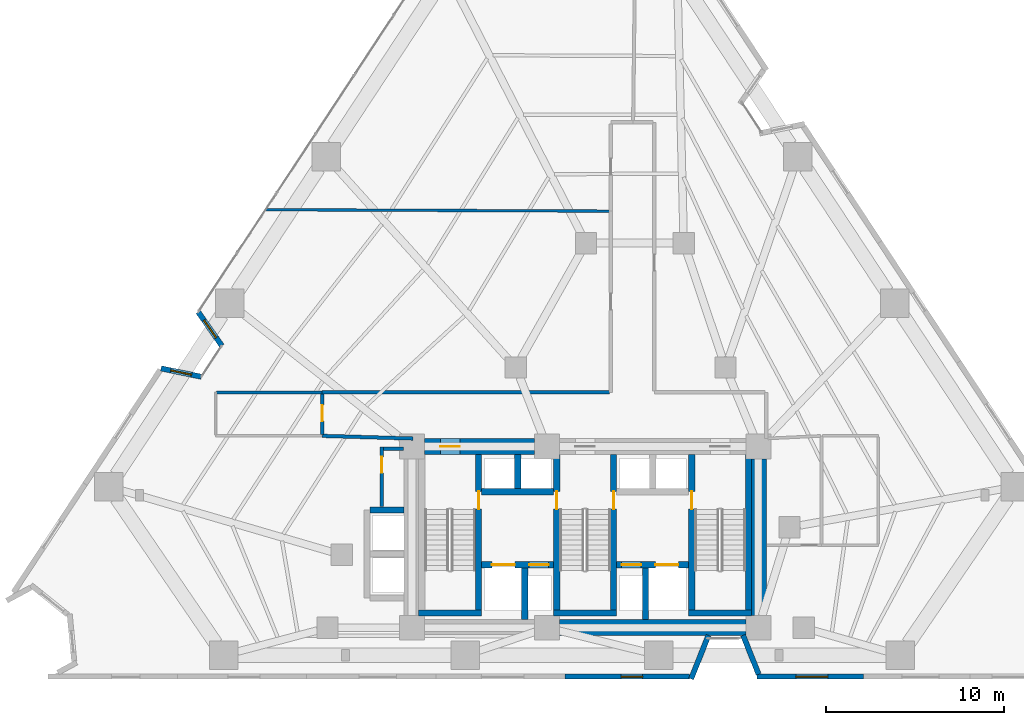
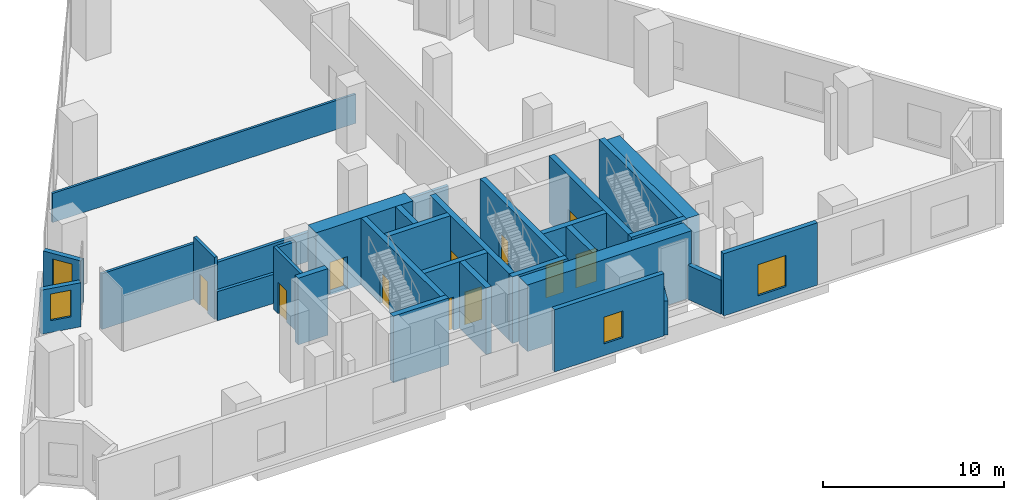
# One storey, part 7 of 11: 31 walls, 11 doors, 4 windows, 15 openings.
"""IFC4 building model written with IfcOpenShell, lengths in metres."""

from ifc_helpers import new_model, si_unit, direction, frame, frame_2d, origin, place, context, subcontext, project, spatial, rectangle, extrude, material, layer, layer_set, type_object, element, fill, save


model = new_model("IFC4")

# Units and contexts
model_context = context("Model", 3, precision=1e-05, world=origin(), true_north=direction((0.0, 1.0)))
body_context = subcontext(model_context, "Body", "Model", "MODEL_VIEW")
ifc_project = project(units=[si_unit("LENGTHUNIT", "METRE"), si_unit("AREAUNIT", "SQUARE_METRE"), si_unit("VOLUMEUNIT", "CUBIC_METRE"), si_unit("PLANEANGLEUNIT", "RADIAN"), si_unit("MASSUNIT", "GRAM", prefix="KILO")], contexts=[model_context])

# Site, building, storey
site_placement = place(None, origin())
site = spatial("IfcSite", under=ifc_project, at=site_placement, CompositionType="ELEMENT")
building_placement = place(site_placement, origin())
building = spatial("IfcBuilding", under=site, at=building_placement, Name="Almagre Mirador Tower", CompositionType="ELEMENT")
storey_placement = place(building_placement, frame((0.0, 0.0, 21.89990234375)))
storey = spatial("IfcBuildingStorey", under=building, at=storey_placement, Name="L04", CompositionType="ELEMENT", Elevation=21.89990234375)

# Wall, opening, window
ifc_material_1 = material(Name="Precast concrete C50/60", Category="concrete")
ifc_layer_1 = layer(ifc_material_1, 0.300048828125)
ifc_layer_set_1 = layer_set([ifc_layer_1], Name="Precast concrete C50/60")
wall_type_1 = type_object("IfcWallType", Name="WAL-EXT-300", PredefinedType="SOLIDWALL", material=ifc_layer_set_1)
wall_1_placement = place(storey_placement, frame((13.429931640625, 19.14697265625, 0.0), z_axis=(0.0, 0.0, 1.0), x_axis=(0.979248147508, -0.202664909649, 0.0)))
wall_1 = element("IfcWall", 1, at=wall_1_placement, inside=storey, type_object=wall_type_1, Name="L04 expressed almagre precast frame wall 01", PredefinedType="SOLIDWALL", context=body_context, shape_type="SweptSolid", body=[
    extrude(rectangle(XDim=2.314208984375, YDim=0.300048828125, at=frame_2d((1.1572265625, 0.0))), origin(), (0.0, 0.0, 1.0), 2.97509765625),
])
opening_1_placement = place(wall_1_placement, frame((0.550048828125, 0.0, 0.800048828125)))
opening_1 = element("IfcOpeningElement", 2, at=opening_1_placement, cuts=wall_1, Name="Opening WN-04", PredefinedType="OPENING", context=body_context, shape_type="SweptSolid", body=[
    extrude(rectangle(XDim=1.199951171875, YDim=1.800048828125, at=frame_2d((0.60009765625, 0.89990234375))), frame((0.0, 0.159902, 0.0), z_axis=(0.0, -1.0, 0.0), x_axis=(1.0, 0.0, 0.0)), (0.0, 0.0, 1.0), 0.320049),
])
ifc_material_2 = material(Name="Dark solar-control laminated hurricane glass", Category="glass")
window_type_1 = type_object("IfcWindowType", Name="WIN-1200X1800", PartitioningType="SINGLE_PANEL", PredefinedType="WINDOW", material=ifc_material_2)
window_1_placement = place(opening_1_placement, origin())
window_1 = element("IfcWindow", 3, at=window_1_placement, inside=storey, type_object=window_type_1, Name="L04 recessed hurricane window L04-STE-3", OverallHeight=1.800048828125, OverallWidth=1.199951171875, PartitioningType="SINGLE_PANEL", PredefinedType="WINDOW", context=body_context, shape_type="SweptSolid", body=[
    extrude(rectangle(XDim=1.199951171875, YDim=1.800048828125, at=frame_2d((0.60009765625, 0.89990234375))), frame((0.0, 0.030029296875, 0.0), z_axis=(0.0, -1.0, 0.0), x_axis=(1.0, 0.0, 0.0)), (0.0, 0.0, 1.0), 0.06005859375),
])
fill(opening_1, window_1)

wall_2_placement = place(storey_placement, frame((16.845947265625, 20.423095703125, 0.0), z_axis=(0.0, 0.0, 1.0), x_axis=(-0.57261227679, 0.819826311159, 0.0)))
wall_2 = element("IfcWall", 4, at=wall_2_placement, inside=storey, type_object=wall_type_1, Name="L04 expressed almagre precast frame wall 02", PredefinedType="SOLIDWALL", context=body_context, shape_type="SweptSolid", body=[
    extrude(rectangle(XDim=2.31396484375, YDim=0.300048828125, at=frame_2d((1.156982421875, 0.0))), origin(), (0.0, 0.0, 1.0), 2.97509765625),
])
opening_2_placement = place(wall_2_placement, frame((0.550048828125, 0.0, 0.800048828125)))
opening_2 = element("IfcOpeningElement", 5, at=opening_2_placement, cuts=wall_2, Name="Opening WN-04", PredefinedType="OPENING", context=body_context, shape_type="SweptSolid", body=[
    extrude(rectangle(XDim=1.199951171875, YDim=1.800048828125, at=frame_2d((0.60009765625, 0.89990234375))), frame((0.0, 0.159902, 0.0), z_axis=(0.0, -1.0, 0.0), x_axis=(1.0, 0.0, 0.0)), (0.0, 0.0, 1.0), 0.320049),
])
window_2_placement = place(opening_2_placement, origin())
window_2 = element("IfcWindow", 6, at=window_2_placement, inside=storey, type_object=window_type_1, Name="L04 recessed hurricane window L04-STE-3", OverallHeight=1.800048828125, OverallWidth=1.199951171875, PartitioningType="SINGLE_PANEL", PredefinedType="WINDOW", context=body_context, shape_type="SweptSolid", body=[
    extrude(rectangle(XDim=1.199951171875, YDim=1.800048828125, at=frame_2d((0.60009765625, 0.89990234375))), frame((0.0, 0.030029296875, 0.0), z_axis=(0.0, -1.0, 0.0), x_axis=(1.0, 0.0, 0.0)), (0.0, 0.0, 1.0), 0.06005859375),
])
fill(opening_2, window_2)

wall_3_placement = place(storey_placement, frame((52.964111328125, 1.800048828125, 0.0), z_axis=(0.0, 0.0, 1.0), x_axis=(-1.0, 0.0, 0.0)))
wall_3 = element("IfcWall", 7, at=wall_3_placement, inside=storey, type_object=wall_type_1, Name="L04 expressed almagre precast frame wall 22", PredefinedType="SOLIDWALL", context=body_context, shape_type="SweptSolid", body=[
    extrude(rectangle(XDim=5.988037109375, YDim=0.300048828125, at=frame_2d((2.994140625, 0.0))), origin(), (0.0, 0.0, 1.0), 4.2001953125),
])
opening_3_placement = place(wall_3_placement, frame((2.0, 0.0, 0.60009765625)))
opening_3 = element("IfcOpeningElement", 8, at=opening_3_placement, cuts=wall_3, Name="Opening WN-01", PredefinedType="OPENING", context=body_context, shape_type="SweptSolid", body=[
    extrude(rectangle(XDim=1.800048828125, YDim=2.10009765625, at=frame_2d((0.89990234375, 1.050048828125))), frame((0.0, 0.159902, 0.0), z_axis=(0.0, -1.0, 0.0), x_axis=(1.0, 0.0, 0.0)), (0.0, 0.0, 1.0), 0.320049),
])
ifc_material_3 = material(Name="Dark solar-control laminated hurricane glass", Category="glass")
window_type_2 = type_object("IfcWindowType", Name="WIN-1800X2100", PartitioningType="DOUBLE_PANEL_VERTICAL", PredefinedType="WINDOW", material=ifc_material_3)
window_3_placement = place(opening_3_placement, origin())
window_3 = element("IfcWindow", 9, at=window_3_placement, inside=storey, type_object=window_type_2, Name="L04 recessed hurricane window L04-GAL-1", OverallHeight=2.10009765625, OverallWidth=1.800048828125, PartitioningType="SINGLE_PANEL", PredefinedType="WINDOW", context=body_context, shape_type="SweptSolid", body=[
    extrude(rectangle(XDim=1.800048828125, YDim=2.10009765625, at=frame_2d((0.89990234375, 1.050048828125))), frame((0.0, 0.030029296875, 0.0), z_axis=(0.0, -1.0, 0.0), x_axis=(1.0, 0.0, 0.0)), (0.0, 0.0, 1.0), 0.06005859375),
])
fill(opening_3, window_3)

# Walls
wall_4_placement = place(storey_placement, frame((47.066162109375, 1.92529296875, 0.0), z_axis=(0.0, 0.0, 1.0), x_axis=(-0.36946923074, 0.92924296475, 0.0)))
element("IfcWall", 10, at=wall_4_placement, inside=storey, type_object=wall_type_1, Name="L04 expressed almagre precast frame wall 23", PredefinedType="SOLIDWALL", context=body_context, shape_type="SweptSolid", body=[
    extrude(rectangle(XDim=2.366943359375, YDim=0.300048828125, at=frame_2d((1.18359375, 0.0))), origin(), (0.0, 0.0, 1.0), 2.300048828125),
])
wall_5_placement = place(storey_placement, frame((44.240478515625, 4.124755859375, 0.0), z_axis=(0.0, 0.0, 1.0), x_axis=(-0.369477840539, -0.929239541426, 0.0)))
element("IfcWall", 11, at=wall_5_placement, inside=storey, type_object=wall_type_1, Name="L04 expressed almagre precast frame wall 24", PredefinedType="SOLIDWALL", context=body_context, shape_type="SweptSolid", body=[
    extrude(rectangle(XDim=2.641845703125, YDim=0.300048828125, at=frame_2d((1.32080078125, 0.0))), origin(), (0.0, 0.0, 1.0), 2.300048828125),
])

# Wall, opening, window
wall_6_placement = place(storey_placement, frame((43.180908203125, 1.800048828125, 0.0), z_axis=(0.0, 0.0, 1.0), x_axis=(-1.0, 0.0, 0.0)))
wall_6 = element("IfcWall", 12, at=wall_6_placement, inside=storey, type_object=wall_type_1, Name="L04 expressed almagre precast frame wall 25", PredefinedType="SOLIDWALL", context=body_context, shape_type="SweptSolid", body=[
    extrude(rectangle(XDim=7.004150390625, YDim=0.300048828125, at=frame_2d((3.501953125, 0.0))), origin(), (0.0, 0.0, 1.0), 4.2001953125),
])
opening_4_placement = place(wall_6_placement, frame((2.64990234375, 0.0, 0.800048828125)))
opening_4 = element("IfcOpeningElement", 13, at=opening_4_placement, cuts=wall_6, Name="Opening WN-04", PredefinedType="OPENING", context=body_context, shape_type="SweptSolid", body=[
    extrude(rectangle(XDim=1.199951171875, YDim=1.800048828125, at=frame_2d((0.60009765625, 0.89990234375))), frame((0.0, 0.159902, 0.0), z_axis=(0.0, -1.0, 0.0), x_axis=(1.0, 0.0, 0.0)), (0.0, 0.0, 1.0), 0.320049),
])
window_4_placement = place(opening_4_placement, origin())
window_4 = element("IfcWindow", 14, at=window_4_placement, inside=storey, type_object=window_type_1, Name="L04 recessed hurricane window L04-LIB-2", OverallHeight=1.800048828125, OverallWidth=1.199951171875, PartitioningType="SINGLE_PANEL", PredefinedType="WINDOW", context=body_context, shape_type="SweptSolid", body=[
    extrude(rectangle(XDim=1.199951171875, YDim=1.800048828125, at=frame_2d((0.60009765625, 0.89990234375))), frame((0.0, 0.030029296875, 0.0), z_axis=(0.0, -1.0, 0.0), x_axis=(1.0, 0.0, 0.0)), (0.0, 0.0, 1.0), 0.06005859375),
])
fill(opening_4, window_4)

# Walls
ifc_material_4 = material(Name="Gypsum acoustic stud partition", Category="other")
ifc_layer_2 = layer(ifc_material_4, 0.14990234375)
ifc_layer_set_2 = layer_set([ifc_layer_2], Name="Gypsum acoustic stud partition")
wall_type_2 = type_object("IfcWallType", Name="WAL-PRT-150-STD", PredefinedType="PARTITIONING", material=ifc_layer_set_2)
wall_7_placement = place(storey_placement, frame((38.6650390625, 28.00048828125, 0.0), z_axis=(0.0, 0.0, 1.0), x_axis=(-0.999991330507, 0.004164001755, 0.0)))
element("IfcWall", 15, at=wall_7_placement, inside=storey, type_object=wall_type_2, Name="L04 interior partition 022", PredefinedType="PARTITIONING", context=body_context, shape_type="SweptSolid", body=[
    extrude(rectangle(XDim=19.348388671875, YDim=0.14990234375, at=frame_2d((9.67431640625, 0.0))), origin(), (0.0, 0.0, 1.0), 1.97021484375),
])
ifc_material_5 = material(Name="Gypsum acoustic stud partition", Category="other")
ifc_layer_3 = layer(ifc_material_5, 0.175048828125)
ifc_layer_set_3 = layer_set([ifc_layer_3], Name="Gypsum acoustic stud partition")
wall_type_3 = type_object("IfcWallType", Name="WAL-PRT-175-AC", PredefinedType="PARTITIONING", material=ifc_layer_set_3)
wall_8_placement = place(storey_placement, frame((16.534912109375, 17.800048828125, 0.0), z_axis=(0.0, 0.0, 1.0), x_axis=(1.0, 0.0, 0.0)))
element("IfcWall", 16, at=wall_8_placement, inside=storey, type_object=wall_type_3, Name="L04 interior partition 021", PredefinedType="PARTITIONING", context=body_context, shape_type="SweptSolid", body=[
    extrude(rectangle(XDim=5.965087890625, YDim=0.175048828125, at=frame_2d((2.982421875, 0.0))), origin(), (0.0, 0.0, 1.0), 3.760986328125),
])

# Wall, opening, door
ifc_material_6 = material(Name="Gypsum acoustic stud partition", Category="other")
ifc_layer_4 = layer(ifc_material_6, 0.199951171875)
ifc_layer_set_4 = layer_set([ifc_layer_4], Name="Gypsum acoustic stud partition")
wall_type_4 = type_object("IfcWallType", Name="WAL-PRT-200-EI60", PredefinedType="PARTITIONING", material=ifc_layer_set_4)
wall_9_placement = place(storey_placement, frame((25.85009765625, 11.3701171875, 0.0), z_axis=(0.0, 0.0, 1.0), x_axis=(0.0, 1.0, 0.0)))
wall_9 = element("IfcWall", 17, at=wall_9_placement, inside=storey, type_object=wall_type_4, Name="L04 core ancillary west wall", PredefinedType="PARTITIONING", context=body_context, shape_type="SweptSolid", body=[
    extrude(rectangle(XDim=3.33984375, YDim=0.199951171875, at=frame_2d((1.669921875, 0.0))), origin(), (0.0, 0.0, 1.0), 4.2001953125),
])
opening_5_placement = place(wall_9_placement, frame((1.89990234375, 0.0, 0.0)))
opening_5 = element("IfcOpeningElement", 18, at=opening_5_placement, cuts=wall_9, Name="Opening ID-03", PredefinedType="OPENING", context=body_context, shape_type="SweptSolid", body=[
    extrude(rectangle(XDim=0.89990234375, YDim=2.10009765625, at=frame_2d((0.449951171875, 1.050048828125))), frame((0.0, 0.110098, 0.0), z_axis=(0.0, -1.0, 0.0), x_axis=(1.0, 0.0, 0.0)), (0.0, 0.0, 1.0), 0.219951),
])
ifc_material_7 = material(Name="Fire-rated hollow steel", Category="steel")
door_type_1 = type_object("IfcDoorType", Name="DOR-FD60-900X2100", OperationType="NOTDEFINED", PredefinedType="DOOR", material=ifc_material_7)
door_1_placement = place(opening_5_placement, origin())
door_1 = element("IfcDoor", 19, at=door_1_placement, inside=storey, type_object=door_type_1, Name="DR-0140 L04 core ancillary corridor door", OperationType="SINGLE_SWING_RIGHT", OverallHeight=2.10009765625, OverallWidth=0.89990234375, PredefinedType="DOOR", context=body_context, shape_type="SweptSolid", body=[
    extrude(rectangle(XDim=0.89990234375, YDim=2.10009765625, at=frame_2d((0.449951171875, 1.050048828125))), frame((0.0, 0.02490234375, 0.0), z_axis=(0.0, -1.0, 0.0), x_axis=(1.0, 0.0, 0.0)), (0.0, 0.0, 1.0), 0.050048828125),
])
fill(opening_5, door_1)

# Walls
wall_10_placement = place(storey_placement, frame((25.955078125, 14.6201171875, 0.0), z_axis=(0.0, 0.0, 1.0), x_axis=(1.0, 0.0, 0.0)))
element("IfcWall", 20, at=wall_10_placement, inside=storey, type_object=wall_type_4, Name="L04 core ancillary north wall", PredefinedType="PARTITIONING", context=body_context, shape_type="SweptSolid", body=[
    extrude(rectangle(XDim=1.1298828125, YDim=0.199951171875, at=frame_2d((0.56494140625, 0.0))), origin(), (0.0, 0.0, 1.0), 4.2001953125),
])
wall_11_placement = place(storey_placement, frame((22.5, 15.35009765625, 0.0), z_axis=(0.0, 0.0, 1.0), x_axis=(0.999566926946, -0.029427173771, 0.0)))
element("IfcWall", 21, at=wall_11_placement, inside=storey, type_object=wall_type_4, Name="L04 interior partition 001", PredefinedType="PARTITIONING", context=body_context, shape_type="SweptSolid", body=[
    extrude(rectangle(XDim=5.102294921875, YDim=0.199951171875, at=frame_2d((2.55126953125, 0.0))), origin(), (0.0, 0.0, 1.0), 1.97021484375),
])
wall_12_placement = place(storey_placement, frame((38.6650390625, 17.800048828125, 0.0), z_axis=(0.0, 0.0, 1.0), x_axis=(-1.0, 0.0, 0.0)))
element("IfcWall", 22, at=wall_12_placement, inside=storey, type_object=wall_type_4, Name="L04 interior partition 003", PredefinedType="PARTITIONING", context=body_context, shape_type="SweptSolid", body=[
    extrude(rectangle(XDim=16.1650390625, YDim=0.199951171875, at=frame_2d((8.08251953125, 0.0))), origin(), (0.0, 0.0, 1.0), 1.97021484375),
])

# Wall, opening, door
wall_13_placement = place(storey_placement, frame((22.5, 17.715087890625, 0.0), z_axis=(0.0, 0.0, 1.0), x_axis=(0.0, -1.0, 0.0)))
wall_13 = element("IfcWall", 23, at=wall_13_placement, inside=storey, type_object=wall_type_4, Name="L04 interior partition 004", PredefinedType="PARTITIONING", context=body_context, shape_type="SweptSolid", body=[
    extrude(rectangle(XDim=2.280029296875, YDim=0.199951171875, at=frame_2d((1.14013671875, 0.0))), origin(), (0.0, 0.0, 1.0), 4.2001953125),
])
opening_6_placement = place(wall_13_placement, frame((0.63232421875, 0.0, 0.0)))
opening_6 = element("IfcOpeningElement", 24, at=opening_6_placement, cuts=wall_13, Name="Opening ID-03", PredefinedType="OPENING", context=body_context, shape_type="SweptSolid", body=[
    extrude(rectangle(XDim=0.89990234375, YDim=2.10009765625, at=frame_2d((0.449951171875, 1.050048828125))), frame((0.0, 0.110098, 0.0), z_axis=(0.0, -1.0, 0.0), x_axis=(1.0, 0.0, 0.0)), (0.0, 0.0, 1.0), 0.219951),
])
door_2_placement = place(opening_6_placement, origin())
door_2 = element("IfcDoor", 25, at=door_2_placement, inside=storey, type_object=door_type_1, Name="DR-0145 L04 interior door L04-COR to L04-ARC-4", OperationType="SINGLE_SWING_LEFT", OverallHeight=2.10009765625, OverallWidth=0.89990234375, PredefinedType="DOOR", context=body_context, shape_type="SweptSolid", body=[
    extrude(rectangle(XDim=0.89990234375, YDim=2.10009765625, at=frame_2d((0.449951171875, 1.050048828125))), frame((0.0, 0.02490234375, 0.0), z_axis=(0.0, -1.0, 0.0), x_axis=(1.0, 0.0, 0.0)), (0.0, 0.0, 1.0), 0.050048828125),
])
fill(opening_6, door_2)

ifc_material_8 = material(Name="Concrete C60/75", Category="concrete")
ifc_layer_5 = layer(ifc_material_8, 0.35009765625)
ifc_layer_set_5 = layer_set([ifc_layer_5], Name="Concrete C60/75")
wall_type_5 = type_object("IfcWallType", Name="WAL-SHF-350", PredefinedType="SOLIDWALL", material=ifc_layer_set_5)
wall_14_placement = place(storey_placement, frame((31.300048828125, 5.199951171875, 0.0), z_axis=(0.0, 0.0, 1.0), x_axis=(0.0, 1.0, 0.0)))
wall_14 = element("IfcWall", 26, at=wall_14_placement, inside=storey, type_object=wall_type_5, Name="L04 shaft wall ST1-E", PredefinedType="SOLIDWALL", context=body_context, shape_type="SweptSolid", body=[
    extrude(rectangle(XDim=9.10009765625, YDim=0.35009765625, at=frame_2d((4.550048828125, 0.0))), origin(), (0.0, 0.0, 1.0), 4.5),
])
opening_7_placement = place(wall_14_placement, frame((6.02001953125, 0.0, 0.0)))
opening_7 = element("IfcOpeningElement", 27, at=opening_7_placement, cuts=wall_14, Name="Opening FD-01", PredefinedType="OPENING", context=body_context, shape_type="SweptSolid", body=[
    extrude(rectangle(XDim=1.0, YDim=2.14990234375, at=frame_2d((0.5, 1.074951171875))), frame((0.0, 0.185049, 0.0), z_axis=(0.0, -1.0, 0.0), x_axis=(1.0, 0.0, 0.0)), (0.0, 0.0, 1.0), 0.370098),
])
ifc_material_9 = material(Name="Fire-rated hollow steel", Category="steel")
door_type_2 = type_object("IfcDoorType", Name="DOR-FFL-1000X2150", OperationType="NOTDEFINED", PredefinedType="DOOR", material=ifc_material_9)
door_3_placement = place(opening_7_placement, origin())
door_3 = element("IfcDoor", 28, at=door_3_placement, inside=storey, type_object=door_type_2, Name="DR-0141 L04 FFL1-ST1 smokeproof door", OperationType="SINGLE_SWING_RIGHT", OverallHeight=2.14990234375, OverallWidth=1.0, PredefinedType="DOOR", context=body_context, shape_type="SweptSolid", body=[
    extrude(rectangle(XDim=1.0, YDim=2.14990234375, at=frame_2d((0.5, 1.074951171875))), frame((0.0, 0.02490234375, 0.0), z_axis=(0.0, -1.0, 0.0), x_axis=(1.0, 0.0, 0.0)), (0.0, 0.0, 1.0), 0.050048828125),
])
fill(opening_7, door_3)

# Wall
wall_15_placement = place(storey_placement, frame((27.925048828125, 5.375, 0.0), z_axis=(0.0, 0.0, 1.0), x_axis=(1.0, 0.0, 0.0)))
element("IfcWall", 29, at=wall_15_placement, inside=storey, type_object=wall_type_5, Name="L04 shaft wall ST1-S", PredefinedType="SOLIDWALL", context=body_context, shape_type="SweptSolid", body=[
    extrude(rectangle(XDim=3.550048828125, YDim=0.35009765625, at=frame_2d((1.77490234375, 0.0))), origin(), (0.0, 0.0, 1.0), 4.5),
])

# Wall, opening, door
wall_16_placement = place(storey_placement, frame((35.699951171875, 5.199951171875, 0.0), z_axis=(0.0, 0.0, 1.0), x_axis=(0.0, 1.0, 0.0)))
wall_16 = element("IfcWall", 30, at=wall_16_placement, inside=storey, type_object=wall_type_5, Name="L04 shaft wall ST2-W", PredefinedType="SOLIDWALL", context=body_context, shape_type="SweptSolid", body=[
    extrude(rectangle(XDim=9.10009765625, YDim=0.35009765625, at=frame_2d((4.550048828125, 0.0))), origin(), (0.0, 0.0, 1.0), 4.5),
])
opening_8_placement = place(wall_16_placement, frame((6.02001953125, 0.0, 0.0)))
opening_8 = element("IfcOpeningElement", 31, at=opening_8_placement, cuts=wall_16, Name="Opening FD-01", PredefinedType="OPENING", context=body_context, shape_type="SweptSolid", body=[
    extrude(rectangle(XDim=1.0, YDim=2.14990234375, at=frame_2d((0.5, 1.074951171875))), frame((0.0, 0.185049, 0.0), z_axis=(0.0, -1.0, 0.0), x_axis=(1.0, 0.0, 0.0)), (0.0, 0.0, 1.0), 0.370098),
])
door_4_placement = place(opening_8_placement, origin())
door_4 = element("IfcDoor", 32, at=door_4_placement, inside=storey, type_object=door_type_2, Name="DR-0142 L04 FFL1-ST2 smokeproof door", OperationType="SINGLE_SWING_LEFT", OverallHeight=2.14990234375, OverallWidth=1.0, PredefinedType="DOOR", context=body_context, shape_type="SweptSolid", body=[
    extrude(rectangle(XDim=1.0, YDim=2.14990234375, at=frame_2d((0.5, 1.074951171875))), frame((0.0, 0.02490234375, 0.0), z_axis=(0.0, -1.0, 0.0), x_axis=(1.0, 0.0, 0.0)), (0.0, 0.0, 1.0), 0.050048828125),
])
fill(opening_8, door_4)

wall_17_placement = place(storey_placement, frame((38.89990234375, 5.199951171875, 0.0), z_axis=(0.0, 0.0, 1.0), x_axis=(0.0, 1.0, 0.0)))
wall_17 = element("IfcWall", 33, at=wall_17_placement, inside=storey, type_object=wall_type_5, Name="L04 shaft wall ST2-E", PredefinedType="SOLIDWALL", context=body_context, shape_type="SweptSolid", body=[
    extrude(rectangle(XDim=9.10009765625, YDim=0.35009765625, at=frame_2d((4.550048828125, 0.0))), origin(), (0.0, 0.0, 1.0), 4.5),
])
opening_9_placement = place(wall_17_placement, frame((6.02001953125, 0.0, 0.0)))
opening_9 = element("IfcOpeningElement", 34, at=opening_9_placement, cuts=wall_17, Name="Opening FD-01", PredefinedType="OPENING", context=body_context, shape_type="SweptSolid", body=[
    extrude(rectangle(XDim=1.0, YDim=2.14990234375, at=frame_2d((0.5, 1.074951171875))), frame((0.0, 0.185049, 0.0), z_axis=(0.0, -1.0, 0.0), x_axis=(1.0, 0.0, 0.0)), (0.0, 0.0, 1.0), 0.370098),
])
door_5_placement = place(opening_9_placement, origin())
door_5 = element("IfcDoor", 35, at=door_5_placement, inside=storey, type_object=door_type_2, Name="DR-0143 L04 FFL2-ST2 smokeproof door", OperationType="SINGLE_SWING_RIGHT", OverallHeight=2.14990234375, OverallWidth=1.0, PredefinedType="DOOR", context=body_context, shape_type="SweptSolid", body=[
    extrude(rectangle(XDim=1.0, YDim=2.14990234375, at=frame_2d((0.5, 1.074951171875))), frame((0.0, 0.02490234375, 0.0), z_axis=(0.0, -1.0, 0.0), x_axis=(1.0, 0.0, 0.0)), (0.0, 0.0, 1.0), 0.050048828125),
])
fill(opening_9, door_5)

# Wall
wall_18_placement = place(storey_placement, frame((35.52490234375, 5.375, 0.0), z_axis=(0.0, 0.0, 1.0), x_axis=(1.0, 0.0, 0.0)))
element("IfcWall", 36, at=wall_18_placement, inside=storey, type_object=wall_type_5, Name="L04 shaft wall ST2-S", PredefinedType="SOLIDWALL", context=body_context, shape_type="SweptSolid", body=[
    extrude(rectangle(XDim=3.550048828125, YDim=0.35009765625, at=frame_2d((1.77490234375, 0.0))), origin(), (0.0, 0.0, 1.0), 4.5),
])

# Wall, opening, door
wall_19_placement = place(storey_placement, frame((43.300048828125, 5.199951171875, 0.0), z_axis=(0.0, 0.0, 1.0), x_axis=(0.0, 1.0, 0.0)))
wall_19 = element("IfcWall", 37, at=wall_19_placement, inside=storey, type_object=wall_type_5, Name="L04 shaft wall ST3-W", PredefinedType="SOLIDWALL", context=body_context, shape_type="SweptSolid", body=[
    extrude(rectangle(XDim=9.10009765625, YDim=0.35009765625, at=frame_2d((4.550048828125, 0.0))), origin(), (0.0, 0.0, 1.0), 4.5),
])
opening_10_placement = place(wall_19_placement, frame((6.02001953125, 0.0, 0.0)))
opening_10 = element("IfcOpeningElement", 38, at=opening_10_placement, cuts=wall_19, Name="Opening FD-01", PredefinedType="OPENING", context=body_context, shape_type="SweptSolid", body=[
    extrude(rectangle(XDim=1.0, YDim=2.14990234375, at=frame_2d((0.5, 1.074951171875))), frame((0.0, 0.185049, 0.0), z_axis=(0.0, -1.0, 0.0), x_axis=(1.0, 0.0, 0.0)), (0.0, 0.0, 1.0), 0.370098),
])
door_6_placement = place(opening_10_placement, origin())
door_6 = element("IfcDoor", 39, at=door_6_placement, inside=storey, type_object=door_type_2, Name="DR-0144 L04 FFL2-ST3 smokeproof door", OperationType="SINGLE_SWING_LEFT", OverallHeight=2.14990234375, OverallWidth=1.0, PredefinedType="DOOR", context=body_context, shape_type="SweptSolid", body=[
    extrude(rectangle(XDim=1.0, YDim=2.14990234375, at=frame_2d((0.5, 1.074951171875))), frame((0.0, 0.02490234375, 0.0), z_axis=(0.0, -1.0, 0.0), x_axis=(1.0, 0.0, 0.0)), (0.0, 0.0, 1.0), 0.050048828125),
])
fill(opening_10, door_6)

# Walls
wall_20_placement = place(storey_placement, frame((46.5, 5.199951171875, 0.0), z_axis=(0.0, 0.0, 1.0), x_axis=(0.0, 1.0, 0.0)))
element("IfcWall", 40, at=wall_20_placement, inside=storey, type_object=wall_type_5, Name="L04 shaft wall ST3-E", PredefinedType="SOLIDWALL", context=body_context, shape_type="SweptSolid", body=[
    extrude(rectangle(XDim=9.10009765625, YDim=0.35009765625, at=frame_2d((4.550048828125, 0.0))), origin(), (0.0, 0.0, 1.0), 4.5),
])
wall_21_placement = place(storey_placement, frame((43.125, 5.375, 0.0), z_axis=(0.0, 0.0, 1.0), x_axis=(1.0, 0.0, 0.0)))
element("IfcWall", 41, at=wall_21_placement, inside=storey, type_object=wall_type_5, Name="L04 shaft wall ST3-S", PredefinedType="SOLIDWALL", context=body_context, shape_type="SweptSolid", body=[
    extrude(rectangle(XDim=3.550048828125, YDim=0.35009765625, at=frame_2d((1.77490234375, 0.0))), origin(), (0.0, 0.0, 1.0), 4.5),
])

# Wall, openings, doors
wall_22_placement = place(storey_placement, frame((31.47509765625, 8.10009765625, 0.0), z_axis=(0.0, 0.0, 1.0), x_axis=(1.0, 0.0, 0.0)))
wall_22 = element("IfcWall", 42, at=wall_22_placement, inside=storey, type_object=wall_type_5, Name="L04 shaft wall FSAE1-N", PredefinedType="SOLIDWALL", context=body_context, shape_type="SweptSolid", body=[
    extrude(rectangle(XDim=4.0498046875, YDim=0.35009765625, at=frame_2d((2.02490234375, 0.0))), origin(), (0.0, 0.0, 1.0), 4.5),
])
opening_11_placement = place(wall_22_placement, frame((0.574951171875, 0.0, 0.0)))
opening_11 = element("IfcOpeningElement", 43, at=opening_11_placement, cuts=wall_22, Name="Opening LD-03", PredefinedType="OPENING", context=body_context, shape_type="SweptSolid", body=[
    extrude(rectangle(XDim=1.300048828125, YDim=2.25, at=frame_2d((0.64990234375, 1.125))), frame((0.0, 0.185049, 0.0), z_axis=(0.0, -1.0, 0.0), x_axis=(1.0, 0.0, 0.0)), (0.0, 0.0, 1.0), 0.370098),
])
opening_12_placement = place(wall_22_placement, frame((2.675048828125, 0.0, 0.0)))
opening_12 = element("IfcOpeningElement", 44, at=opening_12_placement, cuts=wall_22, Name="Opening LD-01", PredefinedType="OPENING", context=body_context, shape_type="SweptSolid", body=[
    extrude(rectangle(XDim=1.10009765625, YDim=2.199951171875, at=frame_2d((0.550048828125, 1.10009765625))), frame((0.0, 0.185049, 0.0), z_axis=(0.0, -1.0, 0.0), x_axis=(1.0, 0.0, 0.0)), (0.0, 0.0, 1.0), 0.370098),
])
ifc_material_10 = material(Name="Hollow stainless steel", Category="steel")
door_type_3 = type_object("IfcDoorType", Name="DOR-LD-1100X2200", OperationType="DOUBLE_DOOR_SLIDING", PredefinedType="DOOR", material=ifc_material_10)
door_7_placement = place(opening_12_placement, origin())
door_7 = element("IfcDoor", 45, at=door_7_placement, inside=storey, type_object=door_type_3, Name="DR-0152 L04 PL-L1 lift landing door", OperationType="DOUBLE_DOOR_SLIDING", OverallHeight=2.199951171875, OverallWidth=1.10009765625, PredefinedType="DOOR", context=body_context, shape_type="SweptSolid", body=[
    extrude(rectangle(XDim=1.10009765625, YDim=2.199951171875, at=frame_2d((0.550048828125, 1.10009765625))), frame((0.0, 0.02490234375, 0.0), z_axis=(0.0, -1.0, 0.0), x_axis=(1.0, 0.0, 0.0)), (0.0, 0.0, 1.0), 0.050048828125),
])
fill(opening_12, door_7)
ifc_material_11 = material(Name="Hollow stainless steel", Category="steel")
door_type_4 = type_object("IfcDoorType", Name="DOR-LD-1300X2250", OperationType="DOUBLE_DOOR_SLIDING", PredefinedType="DOOR", material=ifc_material_11)
door_8_placement = place(opening_11_placement, origin())
door_8 = element("IfcDoor", 46, at=door_8_placement, inside=storey, type_object=door_type_4, Name="DR-0150 L04 FSAE-1 lift landing door", OperationType="DOUBLE_DOOR_SLIDING", OverallHeight=2.25, OverallWidth=1.300048828125, PredefinedType="DOOR", context=body_context, shape_type="SweptSolid", body=[
    extrude(rectangle(XDim=1.300048828125, YDim=2.25, at=frame_2d((0.64990234375, 1.125))), frame((0.0, 0.02490234375, 0.0), z_axis=(0.0, -1.0, 0.0), x_axis=(1.0, 0.0, 0.0)), (0.0, 0.0, 1.0), 0.050048828125),
])
fill(opening_11, door_8)

wall_23_placement = place(storey_placement, frame((39.074951171875, 8.10009765625, 0.0), z_axis=(0.0, 0.0, 1.0), x_axis=(1.0, 0.0, 0.0)))
wall_23 = element("IfcWall", 47, at=wall_23_placement, inside=storey, type_object=wall_type_5, Name="L04 shaft wall FSAE2-N", PredefinedType="SOLIDWALL", context=body_context, shape_type="SweptSolid", body=[
    extrude(rectangle(XDim=4.050048828125, YDim=0.35009765625, at=frame_2d((2.02490234375, 0.0))), origin(), (0.0, 0.0, 1.0), 4.5),
])
opening_13_placement = place(wall_23_placement, frame((2.175048828125, 0.0, 0.0)))
opening_13 = element("IfcOpeningElement", 48, at=opening_13_placement, cuts=wall_23, Name="Opening LD-03", PredefinedType="OPENING", context=body_context, shape_type="SweptSolid", body=[
    extrude(rectangle(XDim=1.300048828125, YDim=2.25, at=frame_2d((0.64990234375, 1.125))), frame((0.0, 0.185049, 0.0), z_axis=(0.0, -1.0, 0.0), x_axis=(1.0, 0.0, 0.0)), (0.0, 0.0, 1.0), 0.370098),
])
opening_14_placement = place(wall_23_placement, frame((0.27490234375, 0.0, 0.0)))
opening_14 = element("IfcOpeningElement", 49, at=opening_14_placement, cuts=wall_23, Name="Opening LD-01", PredefinedType="OPENING", context=body_context, shape_type="SweptSolid", body=[
    extrude(rectangle(XDim=1.10009765625, YDim=2.199951171875, at=frame_2d((0.550048828125, 1.10009765625))), frame((0.0, 0.185049, 0.0), z_axis=(0.0, -1.0, 0.0), x_axis=(1.0, 0.0, 0.0)), (0.0, 0.0, 1.0), 0.370098),
])
door_9_placement = place(opening_14_placement, origin())
door_9 = element("IfcDoor", 50, at=door_9_placement, inside=storey, type_object=door_type_3, Name="DR-0153 L04 PL-L2 lift landing door", OperationType="DOUBLE_DOOR_SLIDING", OverallHeight=2.199951171875, OverallWidth=1.10009765625, PredefinedType="DOOR", context=body_context, shape_type="SweptSolid", body=[
    extrude(rectangle(XDim=1.10009765625, YDim=2.199951171875, at=frame_2d((0.550048828125, 1.10009765625))), frame((0.0, 0.02490234375, 0.0), z_axis=(0.0, -1.0, 0.0), x_axis=(1.0, 0.0, 0.0)), (0.0, 0.0, 1.0), 0.050048828125),
])
fill(opening_14, door_9)
door_10_placement = place(opening_13_placement, origin())
door_10 = element("IfcDoor", 51, at=door_10_placement, inside=storey, type_object=door_type_4, Name="DR-0151 L04 FSAE-2 lift landing door", OperationType="DOUBLE_DOOR_SLIDING", OverallHeight=2.25, OverallWidth=1.300048828125, PredefinedType="DOOR", context=body_context, shape_type="SweptSolid", body=[
    extrude(rectangle(XDim=1.300048828125, YDim=2.25, at=frame_2d((0.64990234375, 1.125))), frame((0.0, 0.02490234375, 0.0), z_axis=(0.0, -1.0, 0.0), x_axis=(1.0, 0.0, 0.0)), (0.0, 0.0, 1.0), 0.050048828125),
])
fill(opening_13, door_10)

# Walls
for number, where, z_axis, x_axis, name in (
    (52, (33.89990234375, 5.0, 0.0), (0.0, 0.0, 1.0), (0.0, 1.0, 0.0), "L04 shaft wall FSAE1-E"),
    (53, (40.699951171875, 5.0, 0.0), (0.0, 0.0, 1.0), (0.0, 1.0, 0.0), "L04 shaft wall FSAE2-W"),
):
    element("IfcWall", number, at=place(storey_placement, frame(where, z_axis=z_axis, x_axis=x_axis)), inside=storey, type_object=wall_type_5, Name=name, PredefinedType="SOLIDWALL", context=body_context, shape_type="SweptSolid", body=[
        extrude(rectangle(XDim=2.925048828125, YDim=0.35009765625, at=frame_2d((1.46240234375, 0.0))), origin(), (0.0, 0.0, 1.0), 4.5),
    ])
wall_24_placement = place(storey_placement, frame((31.47509765625, 12.199951171875, 0.0), z_axis=(0.0, 0.0, 1.0), x_axis=(1.0, 0.0, 0.0)))
element("IfcWall", 54, at=wall_24_placement, inside=storey, type_object=wall_type_5, Name="L04 shaft wall PLM-S", PredefinedType="SOLIDWALL", context=body_context, shape_type="SweptSolid", body=[
    extrude(rectangle(XDim=4.0498046875, YDim=0.35009765625, at=frame_2d((2.02490234375, 0.0))), origin(), (0.0, 0.0, 1.0), 4.5),
])
wall_25_placement = place(storey_placement, frame((33.5, 12.375, 0.0), z_axis=(0.0, 0.0, 1.0), x_axis=(0.0, 1.0, 0.0)))
element("IfcWall", 55, at=wall_25_placement, inside=storey, type_object=wall_type_5, Name="L04 shaft wall PLM-M", PredefinedType="SOLIDWALL", context=body_context, shape_type="SweptSolid", body=[
    extrude(rectangle(XDim=1.925048828125, YDim=0.35009765625, at=frame_2d((0.96240234375, 0.0))), origin(), (0.0, 0.0, 1.0), 4.5),
])
wall_26_placement = place(storey_placement, frame((25.199951171875, 11.175048828125, 0.0), z_axis=(0.0, 0.0, 1.0), x_axis=(1.0, 0.0, 0.0)))
element("IfcWall", 56, at=wall_26_placement, inside=storey, type_object=wall_type_5, Name="L04 shaft wall OL-N", PredefinedType="SOLIDWALL", context=body_context, shape_type="SweptSolid", body=[
    extrude(rectangle(XDim=1.900146484375, YDim=0.35009765625, at=frame_2d((0.9501953125, 0.0))), origin(), (0.0, 0.0, 1.0), 4.5),
])
ifc_material_12 = material(Name="Concrete C70/85", Category="concrete")
ifc_layer_6 = layer(ifc_material_12, 0.89990234375)
ifc_layer_set_6 = layer_set([ifc_layer_6], Name="Concrete C70/85")
wall_type_6 = type_object("IfcWallType", Name="WAL-SHR-900", PredefinedType="SHEAR", material=ifc_layer_set_6)
wall_27_placement = place(storey_placement, frame((35.85009765625, 4.550048828125, 0.0), z_axis=(0.0, 0.0, 1.0), x_axis=(1.0, 0.0, 0.0)))
element("IfcWall", 57, at=wall_27_placement, inside=storey, type_object=wall_type_6, Name="L04 core shear wall S2", PredefinedType="SHEAR", context=body_context, shape_type="SweptSolid", body=[
    extrude(rectangle(XDim=10.5, YDim=0.89990234375, at=frame_2d((5.25, 0.0))), origin(), (0.0, 0.0, 1.0), 4.5),
])

# Wall, opening, door
wall_28_placement = place(storey_placement, frame((28.25, 14.75, 0.0), z_axis=(0.0, 0.0, 1.0), x_axis=(1.0, 0.0, 0.0)))
wall_28 = element("IfcWall", 58, at=wall_28_placement, inside=storey, type_object=wall_type_6, Name="L04 core shear wall N1", PredefinedType="SHEAR", context=body_context, shape_type="SweptSolid", body=[
    extrude(rectangle(XDim=6.199951171875, YDim=0.89990234375, at=frame_2d((3.10009765625, 0.0))), origin(), (0.0, 0.0, 1.0), 4.5),
])
opening_15_placement = place(wall_28_placement, frame((0.89990234375, 0.0, 0.0)))
opening_15 = element("IfcOpeningElement", 59, at=opening_15_placement, cuts=wall_28, Name="Opening SD-02", PredefinedType="OPENING", context=body_context, shape_type="SweptSolid", body=[
    extrude(rectangle(XDim=1.10009765625, YDim=2.199951171875, at=frame_2d((0.550048828125, 1.10009765625))), frame((0.0, 0.459951, 0.0), z_axis=(0.0, -1.0, 0.0), x_axis=(1.0, 0.0, 0.0)), (0.0, 0.0, 1.0), 0.919902),
])
ifc_material_13 = material(Name="Fire-rated hollow steel", Category="steel")
door_type_5 = type_object("IfcDoorType", Name="DOR-ST-1100X2200", OperationType="NOTDEFINED", PredefinedType="DOOR", material=ifc_material_13)
door_11_placement = place(opening_15_placement, origin())
door_11 = element("IfcDoor", 60, at=door_11_placement, inside=storey, type_object=door_type_5, Name="DR-0154 L04 protected exit stair ST-1 door", OperationType="SINGLE_SWING_RIGHT", OverallHeight=2.199951171875, OverallWidth=1.10009765625, PredefinedType="DOOR", context=body_context, shape_type="SweptSolid", body=[
    extrude(rectangle(XDim=1.10009765625, YDim=2.199951171875, at=frame_2d((0.550048828125, 1.10009765625))), frame((0.0, 0.02490234375, 0.0), z_axis=(0.0, -1.0, 0.0), x_axis=(1.0, 0.0, 0.0)), (0.0, 0.0, 1.0), 0.050048828125),
])
fill(opening_15, door_11)

# Wall
wall_29_placement = place(storey_placement, frame((47.050048828125, 5.25, 0.0), z_axis=(0.0, 0.0, 1.0), x_axis=(0.0, 1.0, 0.0)))
element("IfcWall", 61, at=wall_29_placement, inside=storey, type_object=wall_type_6, Name="L04 core shear wall E1", PredefinedType="SHEAR", context=body_context, shape_type="SweptSolid", body=[
    extrude(rectangle(XDim=8.800048828125, YDim=0.89990234375, at=frame_2d((4.39990234375, 0.0))), origin(), (0.0, 0.0, 1.0), 4.5),
])

save(model, "model.ifc")
